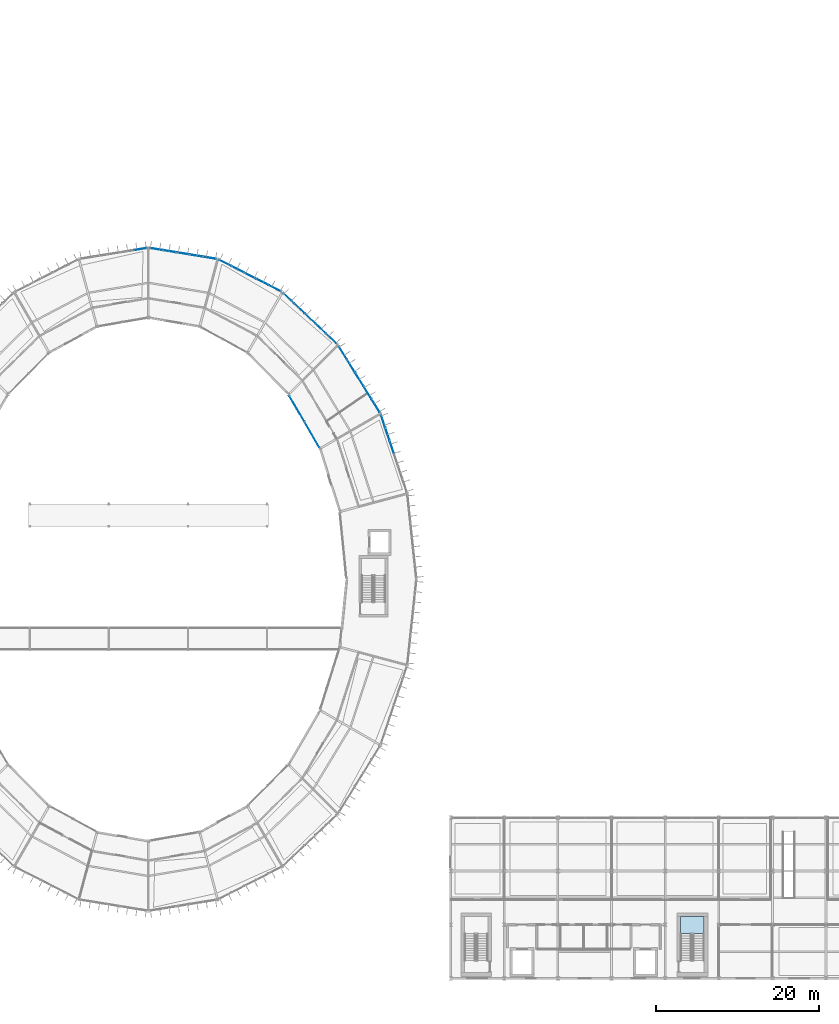
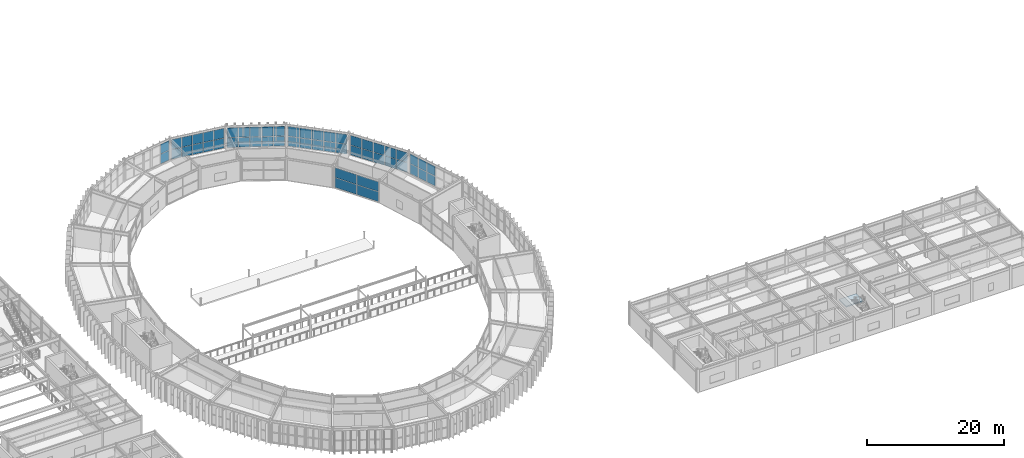
# One storey, part 105 of 147: 52 plates, 1 slab, 8 elements without a shape of their own.
"""IFC4 building model written with IfcOpenShell, lengths in metres."""

from ifc_helpers import new_model, si_unit, direction, frame, origin, origin_2d, place, context, subcontext, project, spatial, polyline, rectangle, outline, extrude, material, layer, layer_set, type_object, element, aggregate, save


model = new_model("IFC4")

# Units and contexts
model_context = context("Model", 3, precision=1e-05, world=origin(), true_north=direction((0.0, 1.0)))
body_context = subcontext(model_context, "Body", "Model", "MODEL_VIEW")
ifc_project = project(units=[si_unit("LENGTHUNIT", "METRE"), si_unit("AREAUNIT", "SQUARE_METRE"), si_unit("VOLUMEUNIT", "CUBIC_METRE"), si_unit("PLANEANGLEUNIT", "RADIAN"), si_unit("MASSUNIT", "GRAM", prefix="KILO")], contexts=[model_context])

# Site, building, storey
site_placement = place(None, origin())
site = spatial("IfcSite", under=ifc_project, at=site_placement, CompositionType="ELEMENT")
building_placement = place(site_placement, origin())
building = spatial("IfcBuilding", under=site, at=building_placement, Name="Karori Crest Natural Sciences Institute", CompositionType="ELEMENT")
storey_placement = place(building_placement, frame((0.0, 0.0, 9.10009765625)))
storey = spatial("IfcBuildingStorey", under=building, at=storey_placement, Name="L02", CompositionType="ELEMENT", Elevation=9.10009765625)

# Curtain wall, plates
ifc_material_1 = material(Name="Anodised architectural aluminium 6063-T6", Category="aluminium")
curtain_wall_type_1 = type_object("IfcCurtainWallType", Name="CWT-13", PredefinedType="NOTDEFINED", material=ifc_material_1)
curtain_wall_1_placement = place(storey_placement, origin())
curtain_wall_1 = element("IfcCurtainWall", 1, at=curtain_wall_1_placement, inside=storey, type_object=curtain_wall_type_1, Name="Curtain wall CW-0069", PredefinedType="NOTDEFINED")
ifc_material_2 = material(Name="Double low-E laminated glass", Category="glass")
ifc_layer_1 = layer(ifc_material_2, 0.02392578125, Name="Double low-E laminated glass")
ifc_layer_set_1 = layer_set([ifc_layer_1], Name="Double low-E laminated glass")
plate_type_1 = type_object("IfcPlateType", Name="CWP-01", PredefinedType="CURTAIN_PANEL", material=ifc_layer_set_1)
plate_1_placement = place(storey_placement, frame((86.525390625, 67.7294921875, 0.06005859375), z_axis=(0.0, 0.0, 1.0), x_axis=(-0.502659683982, 0.864484379326, 0.0)))
plate_1 = element("IfcPlate", 2, at=plate_1_placement, type_object=plate_type_1, Name="CW-0069 panel 1.1", PredefinedType="CURTAIN_PANEL", context=body_context, shape_type="SweptSolid", body=[
    extrude(rectangle(XDim=3.602294921875, YDim=0.02392578125, at=origin_2d()), origin(), (0.0, 0.0, 1.0), 1.735107421875),
])
plate_2_placement = place(storey_placement, frame((86.525390625, 67.7294921875, 1.85498046875), z_axis=(0.0, 0.0, 1.0), x_axis=(-0.502659683982, 0.864484379326, 0.0)))
plate_2 = element("IfcPlate", 3, at=plate_2_placement, type_object=plate_type_1, Name="CW-0069 panel 1.2", PredefinedType="CURTAIN_PANEL", context=body_context, shape_type="SweptSolid", body=[
    extrude(rectangle(XDim=3.602294921875, YDim=0.02392578125, at=origin_2d()), origin(), (0.0, 0.0, 1.0), 1.735107421875),
])
plate_3_placement = place(storey_placement, frame((84.68212890625, 70.899658203125, 0.06005859375), z_axis=(0.0, 0.0, 1.0), x_axis=(-0.502659683982, 0.864484379326, 0.0)))
plate_3 = element("IfcPlate", 4, at=plate_3_placement, type_object=plate_type_1, Name="CW-0069 panel 2.1", PredefinedType="CURTAIN_PANEL", context=body_context, shape_type="SweptSolid", body=[
    extrude(rectangle(XDim=3.602294921875, YDim=0.02392578125, at=origin_2d()), origin(), (0.0, 0.0, 1.0), 1.735107421875),
])
plate_4_placement = place(storey_placement, frame((84.68212890625, 70.899658203125, 1.85498046875), z_axis=(0.0, 0.0, 1.0), x_axis=(-0.502659683982, 0.864484379326, 0.0)))
plate_4 = element("IfcPlate", 5, at=plate_4_placement, type_object=plate_type_1, Name="CW-0069 panel 2.2", PredefinedType="CURTAIN_PANEL", context=body_context, shape_type="SweptSolid", body=[
    extrude(rectangle(XDim=3.602294921875, YDim=0.02392578125, at=origin_2d()), origin(), (0.0, 0.0, 1.0), 1.735107421875),
])
aggregate(curtain_wall_1, [plate_1, plate_2, plate_3, plate_4])

curtain_wall_type_2 = type_object("IfcCurtainWallType", Name="CWT-04", PredefinedType="NOTDEFINED", material=ifc_material_1)
curtain_wall_2_placement = place(storey_placement, origin())
curtain_wall_2 = element("IfcCurtainWall", 6, at=curtain_wall_2_placement, inside=storey, type_object=curtain_wall_type_2, Name="Curtain wall CW-0070", PredefinedType="NOTDEFINED")
plate_5_placement = place(storey_placement, frame((83.6962890625, 84.478271484375, 0.06005859375), z_axis=(0.0, 0.0, 1.0), x_axis=(0.725477446992, -0.688245939986, 0.0)))
plate_5 = element("IfcPlate", 7, at=plate_5_placement, type_object=plate_type_1, Name="CW-0070 panel 1.1", PredefinedType="CURTAIN_PANEL", context=body_context, shape_type="SweptSolid", body=[
    extrude(rectangle(XDim=1.694091796875, YDim=0.02392578125, at=origin_2d()), origin(), (0.0, 0.0, 1.0), 1.722412109375),
])
plate_6_placement = place(storey_placement, frame((83.6962890625, 84.478271484375, 1.84228515625), z_axis=(0.0, 0.0, 1.0), x_axis=(0.725477446992, -0.688245939986, 0.0)))
plate_6 = element("IfcPlate", 8, at=plate_6_placement, type_object=plate_type_1, Name="CW-0070 panel 1.2", PredefinedType="CURTAIN_PANEL", context=body_context, shape_type="SweptSolid", body=[
    extrude(rectangle(XDim=1.694091796875, YDim=0.02392578125, at=origin_2d()), origin(), (0.0, 0.0, 1.0), 1.722412109375),
])
plate_7_placement = place(storey_placement, frame((84.993408203125, 83.247802734375, 0.06005859375), z_axis=(0.0, 0.0, 1.0), x_axis=(0.725477446992, -0.688245939986, 0.0)))
plate_7 = element("IfcPlate", 9, at=plate_7_placement, type_object=plate_type_1, Name="CW-0070 panel 2.1", PredefinedType="CURTAIN_PANEL", context=body_context, shape_type="SweptSolid", body=[
    extrude(rectangle(XDim=1.7314453125, YDim=0.02392578125, at=origin_2d()), origin(), (0.0, 0.0, 1.0), 1.722412109375),
])
plate_8_placement = place(storey_placement, frame((84.993408203125, 83.247802734375, 1.84228515625), z_axis=(0.0, 0.0, 1.0), x_axis=(0.725477446992, -0.688245939986, 0.0)))
plate_8 = element("IfcPlate", 10, at=plate_8_placement, type_object=plate_type_1, Name="CW-0070 panel 2.2", PredefinedType="CURTAIN_PANEL", context=body_context, shape_type="SweptSolid", body=[
    extrude(rectangle(XDim=1.7314453125, YDim=0.02392578125, at=origin_2d()), origin(), (0.0, 0.0, 1.0), 1.722412109375),
])
plate_9_placement = place(storey_placement, frame((86.303955078125, 82.00439453125, 0.06005859375), z_axis=(0.0, 0.0, 1.0), x_axis=(0.725477446992, -0.688245939986, 0.0)))
plate_9 = element("IfcPlate", 11, at=plate_9_placement, type_object=plate_type_1, Name="CW-0070 panel 3.1", PredefinedType="CURTAIN_PANEL", context=body_context, shape_type="SweptSolid", body=[
    extrude(rectangle(XDim=1.7314453125, YDim=0.02392578125, at=origin_2d()), origin(), (0.0, 0.0, 1.0), 1.722412109375),
])
plate_10_placement = place(storey_placement, frame((86.303955078125, 82.00439453125, 1.84228515625), z_axis=(0.0, 0.0, 1.0), x_axis=(0.725477446992, -0.688245939986, 0.0)))
plate_10 = element("IfcPlate", 12, at=plate_10_placement, type_object=plate_type_1, Name="CW-0070 panel 3.2", PredefinedType="CURTAIN_PANEL", context=body_context, shape_type="SweptSolid", body=[
    extrude(rectangle(XDim=1.7314453125, YDim=0.02392578125, at=origin_2d()), origin(), (0.0, 0.0, 1.0), 1.722412109375),
])
plate_11_placement = place(storey_placement, frame((87.614501953125, 80.76123046875, 0.06005859375), z_axis=(0.0, 0.0, 1.0), x_axis=(0.725477446992, -0.688245939986, 0.0)))
plate_11 = element("IfcPlate", 13, at=plate_11_placement, type_object=plate_type_1, Name="CW-0070 panel 4.1", PredefinedType="CURTAIN_PANEL", context=body_context, shape_type="SweptSolid", body=[
    extrude(rectangle(XDim=1.7314453125, YDim=0.02392578125, at=origin_2d()), origin(), (0.0, 0.0, 1.0), 1.722412109375),
])
plate_12_placement = place(storey_placement, frame((87.614501953125, 80.76123046875, 1.84228515625), z_axis=(0.0, 0.0, 1.0), x_axis=(0.725477446992, -0.688245939986, 0.0)))
plate_12 = element("IfcPlate", 14, at=plate_12_placement, type_object=plate_type_1, Name="CW-0070 panel 4.2", PredefinedType="CURTAIN_PANEL", context=body_context, shape_type="SweptSolid", body=[
    extrude(rectangle(XDim=1.7314453125, YDim=0.02392578125, at=origin_2d()), origin(), (0.0, 0.0, 1.0), 1.722412109375),
])
plate_13_placement = place(storey_placement, frame((88.91162109375, 79.53076171875, 0.06005859375), z_axis=(0.0, 0.0, 1.0), x_axis=(0.725477446992, -0.688245939986, 0.0)))
plate_13 = element("IfcPlate", 15, at=plate_13_placement, type_object=plate_type_1, Name="CW-0070 panel 5.1", PredefinedType="CURTAIN_PANEL", context=body_context, shape_type="SweptSolid", body=[
    extrude(rectangle(XDim=1.694091796875, YDim=0.02392578125, at=origin_2d()), origin(), (0.0, 0.0, 1.0), 1.722412109375),
])
plate_14_placement = place(storey_placement, frame((88.91162109375, 79.53076171875, 1.84228515625), z_axis=(0.0, 0.0, 1.0), x_axis=(0.725477446992, -0.688245939986, 0.0)))
plate_14 = element("IfcPlate", 16, at=plate_14_placement, type_object=plate_type_1, Name="CW-0070 panel 5.2", PredefinedType="CURTAIN_PANEL", context=body_context, shape_type="SweptSolid", body=[
    extrude(rectangle(XDim=1.694091796875, YDim=0.02392578125, at=origin_2d()), origin(), (0.0, 0.0, 1.0), 1.722412109375),
])
aggregate(curtain_wall_2, [plate_5, plate_6, plate_7, plate_8, plate_9, plate_10, plate_11, plate_12, plate_13, plate_14])

curtain_wall_type_3 = type_object("IfcCurtainWallType", Name="CWT-07", PredefinedType="NOTDEFINED", material=ifc_material_1)
curtain_wall_3_placement = place(storey_placement, origin())
curtain_wall_3 = element("IfcCurtainWall", 17, at=curtain_wall_3_placement, inside=storey, type_object=curtain_wall_type_3, Name="Curtain wall CW-0074", PredefinedType="NOTDEFINED")
plate_15_placement = place(storey_placement, frame((65.406494140625, 90.538330078125, 0.06494140625), z_axis=(0.0, 0.0, 1.0), x_axis=(0.987010371927, 0.1606565458, 0.0)))
plate_15 = element("IfcPlate", 18, at=plate_15_placement, type_object=plate_type_1, Name="CW-0074 panel 5.1", PredefinedType="CURTAIN_PANEL", context=body_context, shape_type="SweptSolid", body=[
    extrude(rectangle(XDim=1.552001953125, YDim=0.02392578125, at=origin_2d()), origin(), (0.0, 0.0, 1.0), 1.715087890625),
])
plate_16_placement = place(storey_placement, frame((65.406494140625, 90.538330078125, 1.8447265625), z_axis=(0.0, 0.0, 1.0), x_axis=(0.987010371927, 0.1606565458, 0.0)))
plate_16 = element("IfcPlate", 19, at=plate_16_placement, type_object=plate_type_1, Name="CW-0074 panel 5.2", PredefinedType="CURTAIN_PANEL", context=body_context, shape_type="SweptSolid", body=[
    extrude(rectangle(XDim=1.552001953125, YDim=0.02392578125, at=origin_2d()), origin(), (0.0, 0.0, 1.0), 1.715087890625),
])
aggregate(curtain_wall_3, [plate_15, plate_16])

curtain_wall_type_4 = type_object("IfcCurtainWallType", Name="CWT-02", PredefinedType="NOTDEFINED", material=ifc_material_1)
curtain_wall_4_placement = place(storey_placement, origin())
curtain_wall_4 = element("IfcCurtainWall", 20, at=curtain_wall_4_placement, inside=storey, type_object=curtain_wall_type_4, Name="Curtain wall CW-0067", PredefinedType="NOTDEFINED")
ifc_layer_2 = layer(ifc_material_2, 0.033935546875, Name="Double low-E laminated glass")
ifc_layer_set_2 = layer_set([ifc_layer_2], Name="Double low-E laminated glass")
plate_type_2 = type_object("IfcPlateType", Name="CWP-02", PredefinedType="CURTAIN_PANEL", material=ifc_layer_set_2)
plate_17_placement = place(storey_placement, frame((95.301513671875, 69.337158203125, 0.06005859375), z_axis=(0.0, 0.0, 1.0), x_axis=(0.317685267462, -0.948196219586, 0.0)))
plate_17 = element("IfcPlate", 21, at=plate_17_placement, type_object=plate_type_2, Name="CW-0067 panel 1.1", PredefinedType="CURTAIN_PANEL", context=body_context, shape_type="SweptSolid", body=[
    extrude(rectangle(XDim=1.561279296875, YDim=0.033935546875, at=origin_2d()), origin(), (0.0, 0.0, 1.0), 1.722412109375),
])
plate_18_placement = place(storey_placement, frame((95.301513671875, 69.337158203125, 1.84228515625), z_axis=(0.0, 0.0, 1.0), x_axis=(0.317685267462, -0.948196219586, 0.0)))
plate_18 = element("IfcPlate", 22, at=plate_18_placement, type_object=plate_type_2, Name="CW-0067 panel 1.2", PredefinedType="CURTAIN_PANEL", context=body_context, shape_type="SweptSolid", body=[
    extrude(rectangle(XDim=1.561279296875, YDim=0.033935546875, at=origin_2d()), origin(), (0.0, 0.0, 1.0), 1.722412109375),
])
plate_19_placement = place(storey_placement, frame((95.8271484375, 67.767822265625, 0.06005859375), z_axis=(0.0, 0.0, 1.0), x_axis=(0.317685267462, -0.948196219586, 0.0)))
plate_19 = element("IfcPlate", 23, at=plate_19_placement, type_object=plate_type_2, Name="CW-0067 panel 2.1", PredefinedType="CURTAIN_PANEL", context=body_context, shape_type="SweptSolid", body=[
    extrude(rectangle(XDim=1.5986328125, YDim=0.033935546875, at=origin_2d()), origin(), (0.0, 0.0, 1.0), 1.722412109375),
])
plate_20_placement = place(storey_placement, frame((95.8271484375, 67.767822265625, 1.84228515625), z_axis=(0.0, 0.0, 1.0), x_axis=(0.317685267462, -0.948196219586, 0.0)))
plate_20 = element("IfcPlate", 24, at=plate_20_placement, type_object=plate_type_2, Name="CW-0067 panel 2.2", PredefinedType="CURTAIN_PANEL", context=body_context, shape_type="SweptSolid", body=[
    extrude(rectangle(XDim=1.5986328125, YDim=0.033935546875, at=origin_2d()), origin(), (0.0, 0.0, 1.0), 1.722412109375),
])
plate_21_placement = place(storey_placement, frame((96.35888671875, 66.180908203125, 0.06005859375), z_axis=(0.0, 0.0, 1.0), x_axis=(0.317685267462, -0.948196219586, 0.0)))
plate_21 = element("IfcPlate", 25, at=plate_21_placement, type_object=plate_type_2, Name="CW-0067 panel 3.1", PredefinedType="CURTAIN_PANEL", context=body_context, shape_type="SweptSolid", body=[
    extrude(rectangle(XDim=1.5986328125, YDim=0.033935546875, at=origin_2d()), origin(), (0.0, 0.0, 1.0), 1.722412109375),
])
plate_22_placement = place(storey_placement, frame((96.35888671875, 66.180908203125, 1.84228515625), z_axis=(0.0, 0.0, 1.0), x_axis=(0.317685267462, -0.948196219586, 0.0)))
plate_22 = element("IfcPlate", 26, at=plate_22_placement, type_object=plate_type_2, Name="CW-0067 panel 3.2", PredefinedType="CURTAIN_PANEL", context=body_context, shape_type="SweptSolid", body=[
    extrude(rectangle(XDim=1.5986328125, YDim=0.033935546875, at=origin_2d()), origin(), (0.0, 0.0, 1.0), 1.722412109375),
])
aggregate(curtain_wall_4, [plate_17, plate_18, plate_19, plate_20, plate_21, plate_22])

curtain_wall_type_5 = type_object("IfcCurtainWallType", Name="CWT-05", PredefinedType="NOTDEFINED", material=ifc_material_1)
curtain_wall_5_placement = place(storey_placement, origin())
curtain_wall_5 = element("IfcCurtainWall", 27, at=curtain_wall_5_placement, inside=storey, type_object=curtain_wall_type_5, Name="Curtain wall CW-0071", PredefinedType="NOTDEFINED")
plate_23_placement = place(storey_placement, frame((75.8662109375, 88.8359375, 0.06494140625), z_axis=(0.0, 0.0, 1.0), x_axis=(0.890065326982, -0.455832988828, 0.0)))
plate_23 = element("IfcPlate", 28, at=plate_23_placement, type_object=plate_type_2, Name="CW-0071 panel 1.1", PredefinedType="CURTAIN_PANEL", context=body_context, shape_type="SweptSolid", body=[
    extrude(rectangle(XDim=1.608642578125, YDim=0.033935546875, at=origin_2d()), origin(), (0.0, 0.0, 1.0), 1.715087890625),
])
plate_24_placement = place(storey_placement, frame((75.8662109375, 88.8359375, 1.8447265625), z_axis=(0.0, 0.0, 1.0), x_axis=(0.890065326982, -0.455832988828, 0.0)))
plate_24 = element("IfcPlate", 29, at=plate_24_placement, type_object=plate_type_2, Name="CW-0071 panel 1.2", PredefinedType="CURTAIN_PANEL", context=body_context, shape_type="SweptSolid", body=[
    extrude(rectangle(XDim=1.608642578125, YDim=0.033935546875, at=origin_2d()), origin(), (0.0, 0.0, 1.0), 1.715087890625),
])
plate_25_placement = place(storey_placement, frame((77.38134765625, 88.06005859375, 0.06494140625), z_axis=(0.0, 0.0, 1.0), x_axis=(0.890065326982, -0.455832988828, 0.0)))
plate_25 = element("IfcPlate", 30, at=plate_25_placement, type_object=plate_type_2, Name="CW-0071 panel 2.1", PredefinedType="CURTAIN_PANEL", context=body_context, shape_type="SweptSolid", body=[
    extrude(rectangle(XDim=1.646240234375, YDim=0.033935546875, at=origin_2d()), origin(), (0.0, 0.0, 1.0), 1.715087890625),
])
plate_26_placement = place(storey_placement, frame((77.38134765625, 88.06005859375, 1.8447265625), z_axis=(0.0, 0.0, 1.0), x_axis=(0.890065326982, -0.455832988828, 0.0)))
plate_26 = element("IfcPlate", 31, at=plate_26_placement, type_object=plate_type_2, Name="CW-0071 panel 2.2", PredefinedType="CURTAIN_PANEL", context=body_context, shape_type="SweptSolid", body=[
    extrude(rectangle(XDim=1.646240234375, YDim=0.033935546875, at=origin_2d()), origin(), (0.0, 0.0, 1.0), 1.715087890625),
])
plate_27_placement = place(storey_placement, frame((78.913330078125, 87.275390625, 0.06494140625), z_axis=(0.0, 0.0, 1.0), x_axis=(0.890065326982, -0.455832988828, 0.0)))
plate_27 = element("IfcPlate", 32, at=plate_27_placement, type_object=plate_type_2, Name="CW-0071 panel 3.1", PredefinedType="CURTAIN_PANEL", context=body_context, shape_type="SweptSolid", body=[
    extrude(rectangle(XDim=1.646240234375, YDim=0.033935546875, at=origin_2d()), origin(), (0.0, 0.0, 1.0), 1.715087890625),
])
plate_28_placement = place(storey_placement, frame((78.913330078125, 87.275390625, 1.8447265625), z_axis=(0.0, 0.0, 1.0), x_axis=(0.890065326982, -0.455832988828, 0.0)))
plate_28 = element("IfcPlate", 33, at=plate_28_placement, type_object=plate_type_2, Name="CW-0071 panel 3.2", PredefinedType="CURTAIN_PANEL", context=body_context, shape_type="SweptSolid", body=[
    extrude(rectangle(XDim=1.646240234375, YDim=0.033935546875, at=origin_2d()), origin(), (0.0, 0.0, 1.0), 1.715087890625),
])
plate_29_placement = place(storey_placement, frame((80.445556640625, 86.49072265625, 0.06494140625), z_axis=(0.0, 0.0, 1.0), x_axis=(0.890065326982, -0.455832988828, 0.0)))
plate_29 = element("IfcPlate", 34, at=plate_29_placement, type_object=plate_type_2, Name="CW-0071 panel 4.1", PredefinedType="CURTAIN_PANEL", context=body_context, shape_type="SweptSolid", body=[
    extrude(rectangle(XDim=1.646240234375, YDim=0.033935546875, at=origin_2d()), origin(), (0.0, 0.0, 1.0), 1.715087890625),
])
plate_30_placement = place(storey_placement, frame((80.445556640625, 86.49072265625, 1.8447265625), z_axis=(0.0, 0.0, 1.0), x_axis=(0.890065326982, -0.455832988828, 0.0)))
plate_30 = element("IfcPlate", 35, at=plate_30_placement, type_object=plate_type_2, Name="CW-0071 panel 4.2", PredefinedType="CURTAIN_PANEL", context=body_context, shape_type="SweptSolid", body=[
    extrude(rectangle(XDim=1.646240234375, YDim=0.033935546875, at=origin_2d()), origin(), (0.0, 0.0, 1.0), 1.715087890625),
])
plate_31_placement = place(storey_placement, frame((81.960693359375, 85.71484375, 0.06494140625), z_axis=(0.0, 0.0, 1.0), x_axis=(0.890065326982, -0.455832988828, 0.0)))
plate_31 = element("IfcPlate", 36, at=plate_31_placement, type_object=plate_type_2, Name="CW-0071 panel 5.1", PredefinedType="CURTAIN_PANEL", context=body_context, shape_type="SweptSolid", body=[
    extrude(rectangle(XDim=1.608642578125, YDim=0.033935546875, at=origin_2d()), origin(), (0.0, 0.0, 1.0), 1.715087890625),
])
plate_32_placement = place(storey_placement, frame((81.960693359375, 85.71484375, 1.8447265625), z_axis=(0.0, 0.0, 1.0), x_axis=(0.890065326982, -0.455832988828, 0.0)))
plate_32 = element("IfcPlate", 37, at=plate_32_placement, type_object=plate_type_2, Name="CW-0071 panel 5.2", PredefinedType="CURTAIN_PANEL", context=body_context, shape_type="SweptSolid", body=[
    extrude(rectangle(XDim=1.608642578125, YDim=0.033935546875, at=origin_2d()), origin(), (0.0, 0.0, 1.0), 1.715087890625),
])
aggregate(curtain_wall_5, [plate_23, plate_24, plate_25, plate_26, plate_27, plate_28, plate_29, plate_30, plate_31, plate_32])

curtain_wall_type_6 = type_object("IfcCurtainWallType", Name="CWT-03", PredefinedType="NOTDEFINED", material=ifc_material_1)
curtain_wall_6_placement = place(storey_placement, origin())
curtain_wall_6 = element("IfcCurtainWall", 38, at=curtain_wall_6_placement, inside=storey, type_object=curtain_wall_type_6, Name="Curtain wall CW-0068", PredefinedType="NOTDEFINED")
ifc_layer_3 = layer(ifc_material_2, 0.0439453125, Name="Double low-E laminated glass")
ifc_layer_set_3 = layer_set([ifc_layer_3], Name="Double low-E laminated glass")
plate_type_3 = type_object("IfcPlateType", Name="CWP-03", PredefinedType="CURTAIN_PANEL", material=ifc_layer_set_3)
plate_33_placement = place(storey_placement, frame((90.350830078125, 77.757080078125, 0.06494140625), z_axis=(0.0, 0.0, 1.0), x_axis=(0.527321609902, -0.849665769424, 0.0)))
plate_33 = element("IfcPlate", 39, at=plate_33_placement, type_object=plate_type_3, Name="CW-0068 panel 1.1", PredefinedType="CURTAIN_PANEL", context=body_context, shape_type="SweptSolid", body=[
    extrude(rectangle(XDim=1.806396484375, YDim=0.0439453125, at=origin_2d()), origin(), (0.0, 0.0, 1.0), 1.715087890625),
])
plate_34_placement = place(storey_placement, frame((90.350830078125, 77.757080078125, 1.8447265625), z_axis=(0.0, 0.0, 1.0), x_axis=(0.527321609902, -0.849665769424, 0.0)))
plate_34 = element("IfcPlate", 40, at=plate_34_placement, type_object=plate_type_3, Name="CW-0068 panel 1.2", PredefinedType="CURTAIN_PANEL", context=body_context, shape_type="SweptSolid", body=[
    extrude(rectangle(XDim=1.806396484375, YDim=0.0439453125, at=origin_2d()), origin(), (0.0, 0.0, 1.0), 1.715087890625),
])
plate_35_placement = place(storey_placement, frame((91.352783203125, 76.142578125, 0.06494140625), z_axis=(0.0, 0.0, 1.0), x_axis=(0.527321609902, -0.849665769424, 0.0)))
plate_35 = element("IfcPlate", 41, at=plate_35_placement, type_object=plate_type_3, Name="CW-0068 panel 2.1", PredefinedType="CURTAIN_PANEL", context=body_context, shape_type="SweptSolid", body=[
    extrude(rectangle(XDim=1.843994140625, YDim=0.0439453125, at=origin_2d()), origin(), (0.0, 0.0, 1.0), 1.715087890625),
])
plate_36_placement = place(storey_placement, frame((91.352783203125, 76.142578125, 1.8447265625), z_axis=(0.0, 0.0, 1.0), x_axis=(0.527321609902, -0.849665769424, 0.0)))
plate_36 = element("IfcPlate", 42, at=plate_36_placement, type_object=plate_type_3, Name="CW-0068 panel 2.2", PredefinedType="CURTAIN_PANEL", context=body_context, shape_type="SweptSolid", body=[
    extrude(rectangle(XDim=1.843994140625, YDim=0.0439453125, at=origin_2d()), origin(), (0.0, 0.0, 1.0), 1.715087890625),
])
plate_37_placement = place(storey_placement, frame((92.36474609375, 74.511962890625, 0.06494140625), z_axis=(0.0, 0.0, 1.0), x_axis=(0.527321609902, -0.849665769424, 0.0)))
plate_37 = element("IfcPlate", 43, at=plate_37_placement, type_object=plate_type_3, Name="CW-0068 panel 3.1", PredefinedType="CURTAIN_PANEL", context=body_context, shape_type="SweptSolid", body=[
    extrude(rectangle(XDim=1.843994140625, YDim=0.0439453125, at=origin_2d()), origin(), (0.0, 0.0, 1.0), 1.715087890625),
])
plate_38_placement = place(storey_placement, frame((92.36474609375, 74.511962890625, 1.8447265625), z_axis=(0.0, 0.0, 1.0), x_axis=(0.527321609902, -0.849665769424, 0.0)))
plate_38 = element("IfcPlate", 44, at=plate_38_placement, type_object=plate_type_3, Name="CW-0068 panel 3.2", PredefinedType="CURTAIN_PANEL", context=body_context, shape_type="SweptSolid", body=[
    extrude(rectangle(XDim=1.843994140625, YDim=0.0439453125, at=origin_2d()), origin(), (0.0, 0.0, 1.0), 1.715087890625),
])
plate_39_placement = place(storey_placement, frame((93.37646484375, 72.881591796875, 0.06494140625), z_axis=(0.0, 0.0, 1.0), x_axis=(0.527321609902, -0.849665769424, 0.0)))
plate_39 = element("IfcPlate", 45, at=plate_39_placement, type_object=plate_type_3, Name="CW-0068 panel 4.1", PredefinedType="CURTAIN_PANEL", context=body_context, shape_type="SweptSolid", body=[
    extrude(rectangle(XDim=1.843994140625, YDim=0.0439453125, at=origin_2d()), origin(), (0.0, 0.0, 1.0), 1.715087890625),
])
plate_40_placement = place(storey_placement, frame((93.37646484375, 72.881591796875, 1.8447265625), z_axis=(0.0, 0.0, 1.0), x_axis=(0.527321609902, -0.849665769424, 0.0)))
plate_40 = element("IfcPlate", 46, at=plate_40_placement, type_object=plate_type_3, Name="CW-0068 panel 4.2", PredefinedType="CURTAIN_PANEL", context=body_context, shape_type="SweptSolid", body=[
    extrude(rectangle(XDim=1.843994140625, YDim=0.0439453125, at=origin_2d()), origin(), (0.0, 0.0, 1.0), 1.715087890625),
])
plate_41_placement = place(storey_placement, frame((94.378662109375, 71.26708984375, 0.06494140625), z_axis=(0.0, 0.0, 1.0), x_axis=(0.527321609902, -0.849665769424, 0.0)))
plate_41 = element("IfcPlate", 47, at=plate_41_placement, type_object=plate_type_3, Name="CW-0068 panel 5.1", PredefinedType="CURTAIN_PANEL", context=body_context, shape_type="SweptSolid", body=[
    extrude(rectangle(XDim=1.806396484375, YDim=0.0439453125, at=origin_2d()), origin(), (0.0, 0.0, 1.0), 1.715087890625),
])
plate_42_placement = place(storey_placement, frame((94.378662109375, 71.26708984375, 1.8447265625), z_axis=(0.0, 0.0, 1.0), x_axis=(0.527321609902, -0.849665769424, 0.0)))
plate_42 = element("IfcPlate", 48, at=plate_42_placement, type_object=plate_type_3, Name="CW-0068 panel 5.2", PredefinedType="CURTAIN_PANEL", context=body_context, shape_type="SweptSolid", body=[
    extrude(rectangle(XDim=1.806396484375, YDim=0.0439453125, at=origin_2d()), origin(), (0.0, 0.0, 1.0), 1.715087890625),
])
aggregate(curtain_wall_6, [plate_33, plate_34, plate_35, plate_36, plate_37, plate_38, plate_39, plate_40, plate_41, plate_42])

curtain_wall_type_7 = type_object("IfcCurtainWallType", Name="CWT-06", PredefinedType="NOTDEFINED", material=ifc_material_1)
curtain_wall_7_placement = place(storey_placement, origin())
curtain_wall_7 = element("IfcCurtainWall", 49, at=curtain_wall_7_placement, inside=storey, type_object=curtain_wall_type_7, Name="Curtain wall CW-0073", PredefinedType="NOTDEFINED")
plate_43_placement = place(storey_placement, frame((67.39501953125, 90.5380859375, 0.06005859375), z_axis=(0.0, 0.0, 1.0), x_axis=(0.987011117908, -0.160651962718, 0.0)))
plate_43 = element("IfcPlate", 50, at=plate_43_placement, type_object=plate_type_3, Name="CW-0073 panel 1.1", PredefinedType="CURTAIN_PANEL", context=body_context, shape_type="SweptSolid", body=[
    extrude(rectangle(XDim=1.55517578125, YDim=0.0439453125, at=origin_2d()), origin(), (0.0, 0.0, 1.0), 1.722412109375),
])
plate_44_placement = place(storey_placement, frame((67.39501953125, 90.5380859375, 1.84228515625), z_axis=(0.0, 0.0, 1.0), x_axis=(0.987011117908, -0.160651962718, 0.0)))
plate_44 = element("IfcPlate", 51, at=plate_44_placement, type_object=plate_type_3, Name="CW-0073 panel 1.2", PredefinedType="CURTAIN_PANEL", context=body_context, shape_type="SweptSolid", body=[
    extrude(rectangle(XDim=1.55517578125, YDim=0.0439453125, at=origin_2d()), origin(), (0.0, 0.0, 1.0), 1.722412109375),
])
plate_45_placement = place(storey_placement, frame((69.0224609375, 90.273193359375, 0.06005859375), z_axis=(0.0, 0.0, 1.0), x_axis=(0.987011117908, -0.160651962718, 0.0)))
plate_45 = element("IfcPlate", 52, at=plate_45_placement, type_object=plate_type_3, Name="CW-0073 panel 2.1", PredefinedType="CURTAIN_PANEL", context=body_context, shape_type="SweptSolid", body=[
    extrude(rectangle(XDim=1.592529296875, YDim=0.0439453125, at=origin_2d()), origin(), (0.0, 0.0, 1.0), 1.722412109375),
])
plate_46_placement = place(storey_placement, frame((69.0224609375, 90.273193359375, 1.84228515625), z_axis=(0.0, 0.0, 1.0), x_axis=(0.987011117908, -0.160651962718, 0.0)))
plate_46 = element("IfcPlate", 53, at=plate_46_placement, type_object=plate_type_3, Name="CW-0073 panel 2.2", PredefinedType="CURTAIN_PANEL", context=body_context, shape_type="SweptSolid", body=[
    extrude(rectangle(XDim=1.592529296875, YDim=0.0439453125, at=origin_2d()), origin(), (0.0, 0.0, 1.0), 1.722412109375),
])
plate_47_placement = place(storey_placement, frame((70.668212890625, 90.00537109375, 0.06005859375), z_axis=(0.0, 0.0, 1.0), x_axis=(0.987011117908, -0.160651962718, 0.0)))
plate_47 = element("IfcPlate", 54, at=plate_47_placement, type_object=plate_type_3, Name="CW-0073 panel 3.1", PredefinedType="CURTAIN_PANEL", context=body_context, shape_type="SweptSolid", body=[
    extrude(rectangle(XDim=1.592529296875, YDim=0.0439453125, at=origin_2d()), origin(), (0.0, 0.0, 1.0), 1.722412109375),
])
plate_48_placement = place(storey_placement, frame((70.668212890625, 90.00537109375, 1.84228515625), z_axis=(0.0, 0.0, 1.0), x_axis=(0.987011117908, -0.160651962718, 0.0)))
plate_48 = element("IfcPlate", 55, at=plate_48_placement, type_object=plate_type_3, Name="CW-0073 panel 3.2", PredefinedType="CURTAIN_PANEL", context=body_context, shape_type="SweptSolid", body=[
    extrude(rectangle(XDim=1.592529296875, YDim=0.0439453125, at=origin_2d()), origin(), (0.0, 0.0, 1.0), 1.722412109375),
])
plate_49_placement = place(storey_placement, frame((72.314208984375, 89.7373046875, 0.06005859375), z_axis=(0.0, 0.0, 1.0), x_axis=(0.987011117908, -0.160651962718, 0.0)))
plate_49 = element("IfcPlate", 56, at=plate_49_placement, type_object=plate_type_3, Name="CW-0073 panel 4.1", PredefinedType="CURTAIN_PANEL", context=body_context, shape_type="SweptSolid", body=[
    extrude(rectangle(XDim=1.592529296875, YDim=0.0439453125, at=origin_2d()), origin(), (0.0, 0.0, 1.0), 1.722412109375),
])
plate_50_placement = place(storey_placement, frame((72.314208984375, 89.7373046875, 1.84228515625), z_axis=(0.0, 0.0, 1.0), x_axis=(0.987011117908, -0.160651962718, 0.0)))
plate_50 = element("IfcPlate", 57, at=plate_50_placement, type_object=plate_type_3, Name="CW-0073 panel 4.2", PredefinedType="CURTAIN_PANEL", context=body_context, shape_type="SweptSolid", body=[
    extrude(rectangle(XDim=1.592529296875, YDim=0.0439453125, at=origin_2d()), origin(), (0.0, 0.0, 1.0), 1.722412109375),
])
plate_51_placement = place(storey_placement, frame((73.941650390625, 89.472412109375, 0.06005859375), z_axis=(0.0, 0.0, 1.0), x_axis=(0.987011117908, -0.160651962718, 0.0)))
plate_51 = element("IfcPlate", 58, at=plate_51_placement, type_object=plate_type_3, Name="CW-0073 panel 5.1", PredefinedType="CURTAIN_PANEL", context=body_context, shape_type="SweptSolid", body=[
    extrude(rectangle(XDim=1.55517578125, YDim=0.0439453125, at=origin_2d()), origin(), (0.0, 0.0, 1.0), 1.722412109375),
])
plate_52_placement = place(storey_placement, frame((73.941650390625, 89.472412109375, 1.84228515625), z_axis=(0.0, 0.0, 1.0), x_axis=(0.987011117908, -0.160651962718, 0.0)))
plate_52 = element("IfcPlate", 59, at=plate_52_placement, type_object=plate_type_3, Name="CW-0073 panel 5.2", PredefinedType="CURTAIN_PANEL", context=body_context, shape_type="SweptSolid", body=[
    extrude(rectangle(XDim=1.55517578125, YDim=0.0439453125, at=origin_2d()), origin(), (0.0, 0.0, 1.0), 1.722412109375),
])
aggregate(curtain_wall_7, [plate_43, plate_44, plate_45, plate_46, plate_47, plate_48, plate_49, plate_50, plate_51, plate_52])

# Stair, slab
ifc_material_3 = material(Name="Concrete 40 MPa", Category="concrete")
stair_type = type_object("IfcStairType", Name="STT-01", PredefinedType="HALF_TURN_STAIR", material=ifc_material_3)
stair_placement = place(storey_placement, origin())
stair = element("IfcStair", 60, at=stair_placement, inside=storey, type_object=stair_type, Name="Protected stair ST-04-L02", PredefinedType="HALF_TURN_STAIR")
ifc_layer_4 = layer(ifc_material_3, 0.2099609375, Name="Concrete 40 MPa")
ifc_layer_set_4 = layer_set([ifc_layer_4], Name="Concrete 40 MPa")
slab_type = type_object("IfcSlabType", Name="SLT-11", PredefinedType="LANDING", material=ifc_layer_set_4)
slab_placement = place(storey_placement, frame((0.0, 0.0, 1.889892578125)))
slab = element("IfcSlab", 61, at=slab_placement, type_object=slab_type, Name="ST-04-L02 landing 1", PredefinedType="LANDING", context=body_context, shape_type="SweptSolid", body=[
    extrude(outline(polyline([(134.800048828125, 6.300048828125), (134.800048828125, 8.39990234375), (131.89990234375, 8.39990234375), (131.89990234375, 6.300048828125), (134.800048828125, 6.300048828125)])), origin(), (0.0, 0.0, 1.0), 0.2099609375),
])
aggregate(stair, [slab])

save(model, "model.ifc")
